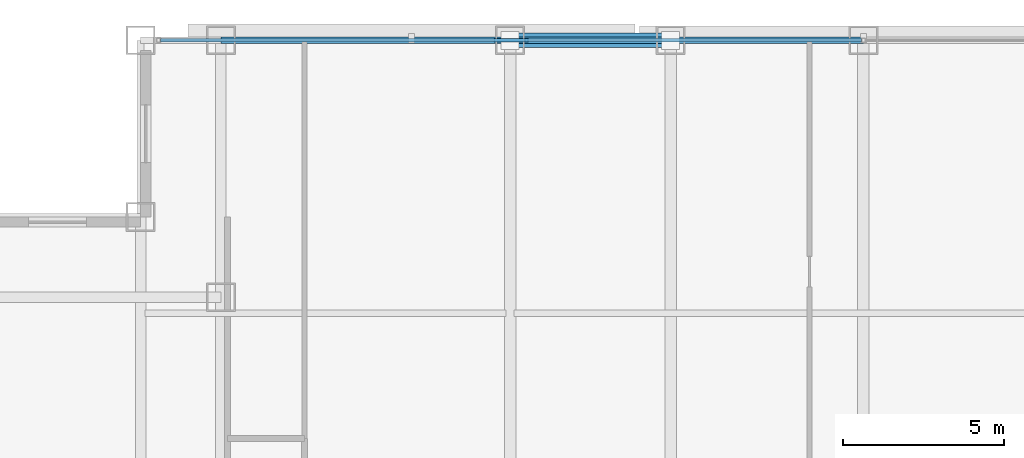
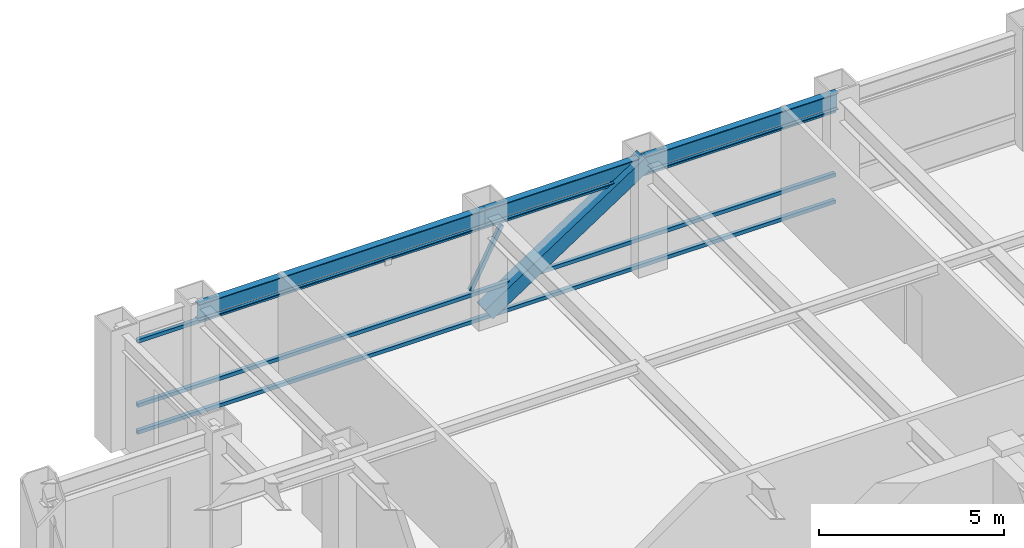
# One storey, part 13 of 27: 5 members, 3 beams, 1 element without a shape of its own.
"""IFC4 building model written with IfcOpenShell, lengths in metres."""

from ifc_helpers import new_model, si_unit, direction, frame, origin, origin_2d, place, context, subcontext, project, spatial, hollow_rectangle, i_section, extrude, source, transform, mapped, material, material_profile, profile_set, type_object, element, aggregate, save


model = new_model("IFC4")

# Units and contexts
model_context = context("Model", 3, precision=1e-05, world=origin(), true_north=direction((0.0, 1.0)))
body_context = subcontext(model_context, "Body", "Model", "MODEL_VIEW")
ifc_project = project(units=[si_unit("LENGTHUNIT", "METRE"), si_unit("AREAUNIT", "SQUARE_METRE"), si_unit("VOLUMEUNIT", "CUBIC_METRE"), si_unit("PLANEANGLEUNIT", "RADIAN"), si_unit("MASSUNIT", "GRAM", prefix="KILO")], contexts=[model_context])

# Site, building, storey
site_placement = place(None, origin())
site = spatial("IfcSite", under=ifc_project, at=site_placement, CompositionType="ELEMENT")
building_placement = place(site_placement, origin())
building = spatial("IfcBuilding", under=site, at=building_placement, Name="Khorayat Bourse Tower", CompositionType="ELEMENT")
storey_placement = place(building_placement, frame((0.0, 0.0, 317.5)))
storey = spatial("IfcBuildingStorey", under=building, at=storey_placement, Name="L75", CompositionType="ELEMENT", Elevation=317.5)

# Member
ifc_material_1 = material(Name="Steel EN 10025-4 S460M", Category="steel")
ifc_material_profile_1 = material_profile(ifc_material_1, hollow_rectangle(XDim=0.449951171875, YDim=0.449951171875, WallThickness=0.02490234375, at=origin_2d()), Name="HSS 450x450x25")
ifc_profile_set_1 = profile_set([ifc_material_profile_1], Name="Steel EN 10025-4 S460M")
member_type_1 = type_object("IfcMemberType", Name="MBR-TUBE-450", PredefinedType="BRACE", material=ifc_profile_set_1)
shared_shape_1 = source(origin(), body_context, "Body", "SweptSolid", [
    extrude(hollow_rectangle(XDim=0.449951171875, YDim=0.449951171875, WallThickness=0.02490234375, at=origin_2d()), origin(), (0.0, 0.0, 1.0), 5.979736328125),
])
member_1_placement = place(storey_placement, frame((-11.0, 28.0, 0.25), z_axis=(0.836141536525, 0.0, 0.548513747227), x_axis=(0.0, 1.0, 0.0)))
element("IfcMember", 1, at=member_1_placement, inside=storey, type_object=member_type_1, Name="L75 Perimeter Tube Brace 03", PredefinedType="BRACE", context=body_context, shape_type="MappedRepresentation", body=[
    mapped(shared_shape_1, transform((0.0, 0.0, 0.0), scale=1.0)),
])

# Beams
ifc_material_2 = material(Name="Steel ASTM A992 Grade 50", Category="steel")
ifc_material_profile_2 = material_profile(ifc_material_2, i_section(OverallWidth=0.214111328125, OverallDepth=0.549072265625, WebThickness=0.0146484375, FlangeThickness=0.023681640625, FilletRadius=0.013916015625, at=origin_2d()), Name="W530X138")
ifc_profile_set_2 = profile_set([ifc_material_profile_2], Name="Steel ASTM A992 Grade 50")
beam_type = type_object("IfcBeamType", Name="BM-SPAN-530", PredefinedType="SPANDREL", material=ifc_profile_set_2)
shared_shape_2 = source(origin(), body_context, "Body", "SweptSolid", [
    extrude(i_section(OverallWidth=0.214111328125, OverallDepth=0.549072265625, WebThickness=0.0146484375, FlangeThickness=0.023681640625, FilletRadius=0.013916015625, at=origin_2d()), origin(), (0.0, 0.0, 1.0), 9.0),
])
beam_1_placement = place(storey_placement, frame((-20.0, 28.0, 3.385498046875), z_axis=(1.0, 0.0, 0.0), x_axis=(0.0, 1.0, 0.0)))
element("IfcBeam", 2, at=beam_1_placement, inside=storey, type_object=beam_type, Name="L75 BM-SPAN-530 BM-L75-SPN-050", PredefinedType="SPANDREL", context=body_context, shape_type="MappedRepresentation", body=[
    mapped(shared_shape_2, transform((0.0, 0.0, 0.0), scale=1.0)),
])
shared_shape_3 = source(origin(), body_context, "Body", "SweptSolid", [
    extrude(i_section(OverallWidth=0.214111328125, OverallDepth=0.549072265625, WebThickness=0.0146484375, FlangeThickness=0.023681640625, FilletRadius=0.013916015625, at=origin_2d()), origin(), (0.0, 0.0, 1.0), 5.0),
])
beam_2_placement = place(storey_placement, frame((-11.0, 28.0, 3.385498046875), z_axis=(1.0, 0.0, 0.0), x_axis=(0.0, 1.0, 0.0)))
element("IfcBeam", 3, at=beam_2_placement, inside=storey, type_object=beam_type, Name="L75 BM-SPAN-530 BM-L75-SPN-049", PredefinedType="SPANDREL", context=body_context, shape_type="MappedRepresentation", body=[
    mapped(shared_shape_3, transform((0.0, 0.0, 0.0), scale=1.0)),
])
shared_shape_4 = source(origin(), body_context, "Body", "SweptSolid", [
    extrude(i_section(OverallWidth=0.214111328125, OverallDepth=0.549072265625, WebThickness=0.0146484375, FlangeThickness=0.023681640625, FilletRadius=0.013916015625, at=origin_2d()), origin(), (0.0, 0.0, 1.0), 6.0),
])
beam_3_placement = place(storey_placement, frame((-6.0, 28.0, 3.385498046875), z_axis=(1.0, 0.0, 0.0), x_axis=(0.0, 1.0, 0.0)))
element("IfcBeam", 4, at=beam_3_placement, inside=storey, type_object=beam_type, Name="L75 BM-SPAN-530 BM-L75-SPN-048", PredefinedType="SPANDREL", context=body_context, shape_type="MappedRepresentation", body=[
    mapped(shared_shape_4, transform((0.0, 0.0, 0.0), scale=1.0)),
])

# Curtain wall, members
ifc_material_3 = material(Name="Aluminium EN AW-6063 T6", Category="aluminium")
curtain_wall_type = type_object("IfcCurtainWallType", Name="CW-SYS-04", PredefinedType="NOTDEFINED", material=ifc_material_3)
curtain_wall_placement = place(storey_placement, origin())
curtain_wall = element("IfcCurtainWall", 5, at=curtain_wall_placement, inside=storey, type_object=curtain_wall_type, Name="L75 Curtain Wall CW-L75-N1", PredefinedType="NOTDEFINED")
ifc_material_profile_3 = material_profile(ifc_material_3, hollow_rectangle(XDim=0.1201171875, YDim=0.1201171875, WallThickness=0.0048828125, at=origin_2d()), Name="ALU 120x120x5")
ifc_profile_set_3 = profile_set([ifc_material_profile_3], Name="Aluminium EN AW-6063 T6")
member_type_2 = type_object("IfcMemberType", Name="CWM-DIAG-120", PredefinedType="MULLION", material=ifc_profile_set_3)
shared_shape_5 = source(origin(), body_context, "Body", "SweptSolid", [
    extrude(hollow_rectangle(XDim=0.1201171875, YDim=0.1201171875, WallThickness=0.0048828125, at=origin_2d()), origin(), (0.0, 0.0, 1.0), 2.0791015625),
])
member_2_placement = place(storey_placement, frame((-11.4541015625, 28.0, 1.090087890625), z_axis=(0.465717394116, 0.0, 0.884933505309), x_axis=(0.0, 1.0, 0.0)))
member_2 = element("IfcMember", 6, at=member_2_placement, type_object=member_type_2, Name="CW-L75-N1 Faceted Diagonal Mullion 1", PredefinedType="MULLION", context=body_context, shape_type="MappedRepresentation", body=[
    mapped(shared_shape_5, transform((0.0, 0.0, 0.0), scale=1.0)),
])
ifc_material_profile_4 = material_profile(ifc_material_3, hollow_rectangle(XDim=0.1201171875, YDim=0.1201171875, WallThickness=0.0048828125, at=origin_2d()), Name="ALU 120x120x5")
ifc_profile_set_4 = profile_set([ifc_material_profile_4], Name="Aluminium EN AW-6063 T6")
member_type_3 = type_object("IfcMemberType", Name="CWT-HORZ-120", PredefinedType="USERDEFINED", material=ifc_profile_set_4)
shared_shape_6 = source(origin(), body_context, "Body", "SweptSolid", [
    extrude(hollow_rectangle(XDim=0.1201171875, YDim=0.1201171875, WallThickness=0.0048828125, at=origin_2d()), origin(), (0.0, 0.0, 1.0), 21.81982421875),
])
member_3_placement = place(storey_placement, frame((-21.8798828125, 28.0, 0.06005859375), z_axis=(1.0, 0.0, 0.0), x_axis=(0.0, 1.0, 0.0)))
member_3 = element("IfcMember", 7, at=member_3_placement, type_object=member_type_3, Name="CW-L75-N1 Horizontal Transom 1-1", ObjectType="TRANSOM", PredefinedType="USERDEFINED", context=body_context, shape_type="MappedRepresentation", body=[
    mapped(shared_shape_6, transform((0.0, 0.0, 0.0), scale=1.0)),
])
member_4_placement = place(storey_placement, frame((-21.8798828125, 28.0, 0.949951171875), z_axis=(1.0, 0.0, 0.0), x_axis=(0.0, 1.0, 0.0)))
member_4 = element("IfcMember", 8, at=member_4_placement, type_object=member_type_3, Name="CW-L75-N1 Horizontal Transom 1-2", ObjectType="TRANSOM", PredefinedType="USERDEFINED", context=body_context, shape_type="MappedRepresentation", body=[
    mapped(shared_shape_6, transform((0.0, 0.0, 0.0), scale=1.0)),
])
member_5_placement = place(storey_placement, frame((-21.8798828125, 28.0, 3.070068359375), z_axis=(1.0, 0.0, 0.0), x_axis=(0.0, 1.0, 0.0)))
member_5 = element("IfcMember", 9, at=member_5_placement, type_object=member_type_3, Name="CW-L75-N1 Horizontal Transom 1-3", ObjectType="TRANSOM", PredefinedType="USERDEFINED", context=body_context, shape_type="MappedRepresentation", body=[
    mapped(shared_shape_6, transform((0.0, 0.0, 0.0), scale=1.0)),
])
aggregate(curtain_wall, [member_3, member_4, member_5, member_2])

save(model, "model.ifc")
